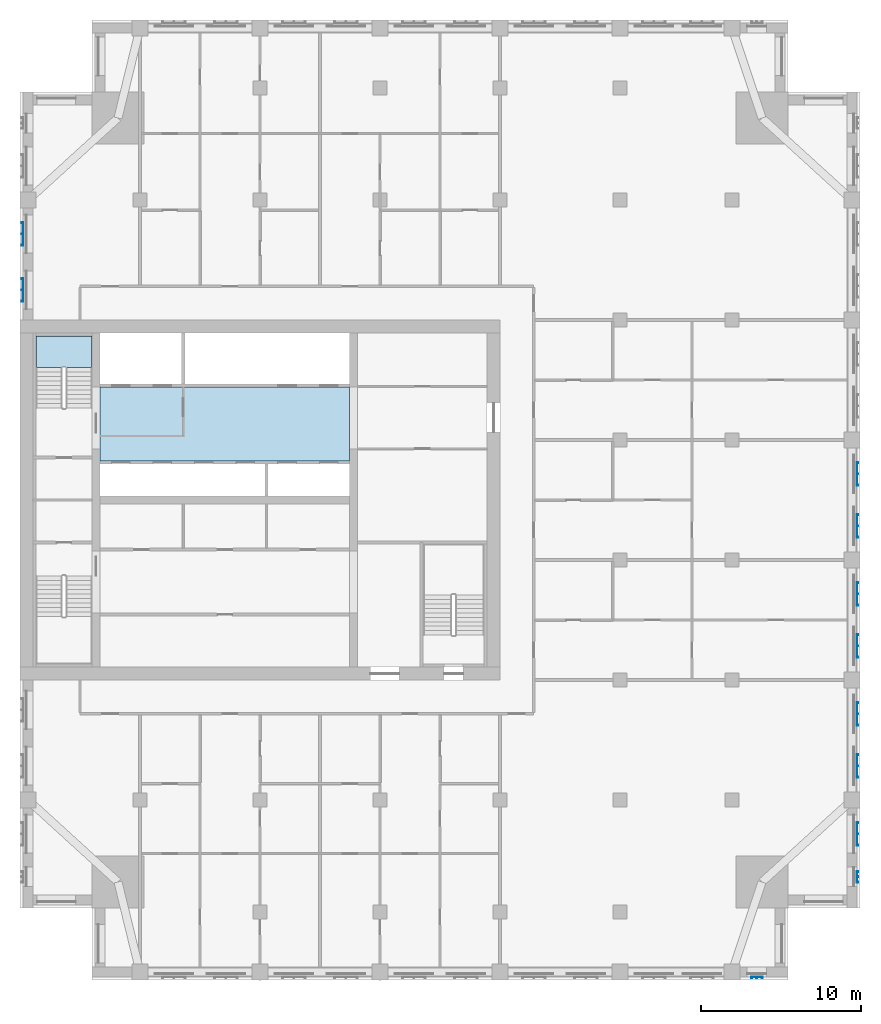
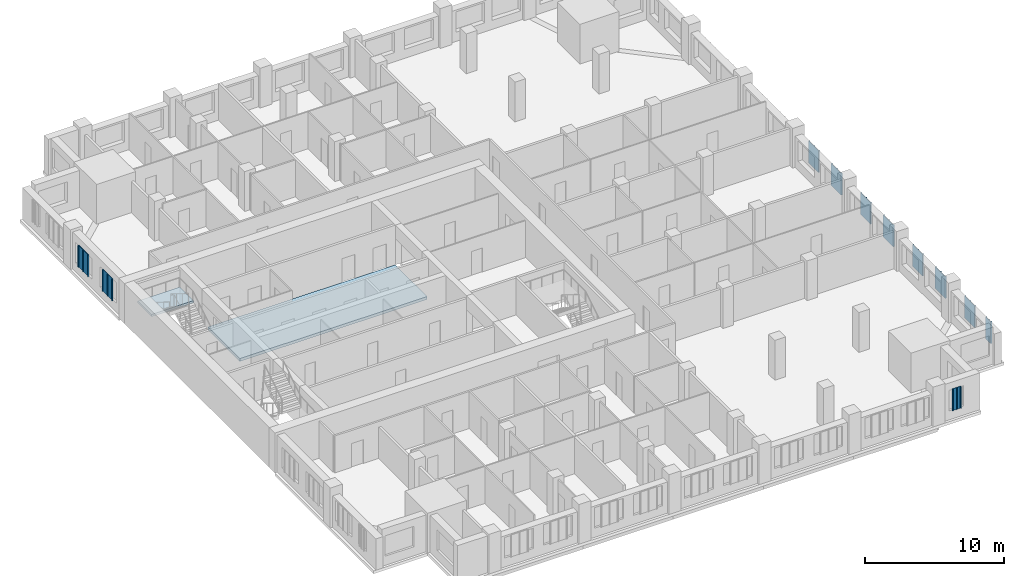
# One storey, part 4 of 14: 11 plates, 2 slabs, 1 element without a shape of its own.
"""IFC4 building model written with IfcOpenShell, lengths in metres."""

from ifc_helpers import new_model, si_unit, direction, frame, origin, place, context, subcontext, project, spatial, polyline, outline, extrude, material, layer, layer_set, type_object, element, aggregate, save


model = new_model("IFC4")

# Units and contexts
model_context = context("Model", 3, precision=1e-05, world=origin(), true_north=direction((0.0, 1.0)))
body_context = subcontext(model_context, "Body", "Model", "MODEL_VIEW")
ifc_project = project(units=[si_unit("LENGTHUNIT", "METRE"), si_unit("AREAUNIT", "SQUARE_METRE"), si_unit("VOLUMEUNIT", "CUBIC_METRE"), si_unit("PLANEANGLEUNIT", "RADIAN"), si_unit("MASSUNIT", "GRAM", prefix="KILO")], contexts=[model_context])

# Site, building, storey
site_placement = place(None, origin())
site = spatial("IfcSite", under=ifc_project, at=site_placement, CompositionType="ELEMENT")
building_placement = place(site_placement, origin())
building = spatial("IfcBuilding", under=site, at=building_placement, Name="Tamorin Gate", CompositionType="ELEMENT")
storey_placement = place(building_placement, frame((0.0, 0.0, 182.699951171875)))
storey = spatial("IfcBuildingStorey", under=building, at=storey_placement, Name="L44", CompositionType="ELEMENT", Elevation=182.699951171875)

# Slab
ifc_material_1 = material(Name="Concrete C40/50", Category="concrete")
ifc_layer_1 = layer(ifc_material_1, 0.25)
ifc_layer_set_1 = layer_set([ifc_layer_1], Name="Core floor slab 250 C40/50")
slab_type_1 = type_object("IfcSlabType", Name="Core floor slab 250 C40/50", PredefinedType="FLOOR", material=ifc_layer_set_1)
slab_1_placement = place(storey_placement, frame((0.0, 0.0, -0.25)))
element("IfcSlab", 1, at=slab_1_placement, inside=storey, type_object=slab_type_1, Name="Core floor L44", PredefinedType="FLOOR", context=body_context, shape_type="SweptSolid", body=[
    extrude(outline(polyline([(50.60009765625, 73.699951171875), (35.0, 73.699951171875), (35.0, 78.300048828125), (50.60009765625, 78.300048828125), (50.60009765625, 73.699951171875)])), origin(), (0.0, 0.0, 1.0), 0.25),
])

# Stair, slab
stair_type = type_object("IfcStairType", Name="Exit stair", PredefinedType="HALF_TURN_STAIR", material=ifc_material_1)
stair_placement = place(storey_placement, origin())
stair = element("IfcStair", 2, at=stair_placement, inside=storey, type_object=stair_type, Name="L44 stair ST2", PredefinedType="HALF_TURN_STAIR")
ifc_layer_2 = layer(ifc_material_1, 0.199951171875)
ifc_layer_set_2 = layer_set([ifc_layer_2], Name="Exit stair landing 200")
slab_type_2 = type_object("IfcSlabType", Name="Exit stair landing 200", PredefinedType="LANDING", material=ifc_layer_set_2)
slab_2_placement = place(storey_placement, frame((0.0, 0.0, 1.550048828125)))
slab_2 = element("IfcSlab", 3, at=slab_2_placement, type_object=slab_type_2, Name="ST2 landing 1", PredefinedType="LANDING", context=body_context, shape_type="SweptSolid", body=[
    extrude(outline(polyline([(34.5, 79.52001953125), (34.5, 81.5), (31.0, 81.5), (31.0, 79.52001953125), (34.5, 79.52001953125)])), origin(), (0.0, 0.0, 1.0), 0.199951171875),
])
aggregate(stair, [slab_2])

# Plates
ifc_material_2 = material(Name="Perforated pale aluminium sheet", Category="aluminium")
ifc_layer_3 = layer(ifc_material_2, 0.0400390625)
ifc_layer_set_3 = layer_set([ifc_layer_3], Name="Pale metal solar screen 1440")
plate_type_1 = type_object("IfcPlateType", Name="Pale metal solar screen 1440", PredefinedType="SHEET", material=ifc_layer_set_3)
plate_1_placement = place(storey_placement, frame((0.0, 0.0, 0.737548828125)))
element("IfcPlate", 4, at=plate_1_placement, inside=storey, type_object=plate_type_1, Name="Perforated solar screen", PredefinedType="SHEET", context=body_context, shape_type="SweptSolid", body=[
    extrude(outline(polyline([(82.340087890625, 49.655029296875), (82.300048828125, 49.655029296875), (82.300048828125, 49.715087890625), (82.300048828125, 50.344970703125), (82.300048828125, 50.405029296875), (82.300048828125, 51.034912109375), (82.300048828125, 51.094970703125), (82.300048828125, 51.094970703125), (82.340087890625, 51.094970703125), (82.340087890625, 51.094970703125), (82.39990234375, 51.094970703125), (82.39990234375, 51.034912109375), (82.340087890625, 51.034912109375), (82.340087890625, 50.405029296875), (82.39990234375, 50.405029296875), (82.39990234375, 50.344970703125), (82.340087890625, 50.344970703125), (82.340087890625, 49.715087890625), (82.39990234375, 49.715087890625), (82.39990234375, 49.655029296875), (82.340087890625, 49.655029296875)])), origin(), (0.0, 0.0, 1.0), 1.925048828125),
])
plate_2_placement = place(storey_placement, frame((0.0, 0.0, 0.737548828125)))
element("IfcPlate", 5, at=plate_2_placement, inside=storey, type_object=plate_type_1, Name="Perforated solar screen", PredefinedType="SHEET", context=body_context, shape_type="SweptSolid", body=[
    extrude(outline(polyline([(82.340087890625, 53.905029296875), (82.300048828125, 53.905029296875), (82.300048828125, 53.965087890625), (82.300048828125, 54.594970703125), (82.300048828125, 54.655029296875), (82.300048828125, 55.284912109375), (82.300048828125, 55.344970703125), (82.340087890625, 55.344970703125), (82.39990234375, 55.344970703125), (82.39990234375, 55.284912109375), (82.340087890625, 55.284912109375), (82.340087890625, 54.655029296875), (82.39990234375, 54.655029296875), (82.39990234375, 54.594970703125), (82.340087890625, 54.594970703125), (82.340087890625, 53.965087890625), (82.39990234375, 53.965087890625), (82.39990234375, 53.905029296875), (82.340087890625, 53.905029296875)])), origin(), (0.0, 0.0, 1.0), 1.925048828125),
])
plate_3_placement = place(storey_placement, frame((0.0, 0.0, 0.737548828125)))
element("IfcPlate", 6, at=plate_3_placement, inside=storey, type_object=plate_type_1, Name="Perforated solar screen", PredefinedType="SHEET", context=body_context, shape_type="SweptSolid", body=[
    extrude(outline(polyline([(82.340087890625, 57.155029296875), (82.300048828125, 57.155029296875), (82.300048828125, 57.215087890625), (82.300048828125, 57.844970703125), (82.300048828125, 57.905029296875), (82.300048828125, 58.534912109375), (82.300048828125, 58.594970703125), (82.340087890625, 58.594970703125), (82.39990234375, 58.594970703125), (82.39990234375, 58.534912109375), (82.340087890625, 58.534912109375), (82.340087890625, 57.905029296875), (82.39990234375, 57.905029296875), (82.39990234375, 57.844970703125), (82.340087890625, 57.844970703125), (82.340087890625, 57.215087890625), (82.39990234375, 57.215087890625), (82.39990234375, 57.155029296875), (82.340087890625, 57.155029296875)])), origin(), (0.0, 0.0, 1.0), 1.925048828125),
])
plate_4_placement = place(storey_placement, frame((0.0, 0.0, 0.737548828125)))
element("IfcPlate", 7, at=plate_4_placement, inside=storey, type_object=plate_type_1, Name="Perforated solar screen", PredefinedType="SHEET", context=body_context, shape_type="SweptSolid", body=[
    extrude(outline(polyline([(82.340087890625, 61.405029296875), (82.300048828125, 61.405029296875), (82.300048828125, 61.465087890625), (82.300048828125, 62.094970703125), (82.300048828125, 62.155029296875), (82.300048828125, 62.784912109375), (82.300048828125, 62.844970703125), (82.340087890625, 62.844970703125), (82.39990234375, 62.844970703125), (82.39990234375, 62.784912109375), (82.340087890625, 62.784912109375), (82.340087890625, 62.155029296875), (82.39990234375, 62.155029296875), (82.39990234375, 62.094970703125), (82.340087890625, 62.094970703125), (82.340087890625, 61.465087890625), (82.39990234375, 61.465087890625), (82.39990234375, 61.405029296875), (82.340087890625, 61.405029296875)])), origin(), (0.0, 0.0, 1.0), 1.925048828125),
])
plate_5_placement = place(storey_placement, frame((0.0, 0.0, 0.737548828125)))
element("IfcPlate", 8, at=plate_5_placement, inside=storey, type_object=plate_type_1, Name="Perforated solar screen", PredefinedType="SHEET", context=body_context, shape_type="SweptSolid", body=[
    extrude(outline(polyline([(82.340087890625, 64.655029296875), (82.300048828125, 64.655029296875), (82.300048828125, 64.715087890625), (82.300048828125, 65.344970703125), (82.300048828125, 65.405029296875), (82.300048828125, 66.034912109375), (82.300048828125, 66.094970703125), (82.340087890625, 66.094970703125), (82.39990234375, 66.094970703125), (82.39990234375, 66.034912109375), (82.340087890625, 66.034912109375), (82.340087890625, 65.405029296875), (82.39990234375, 65.405029296875), (82.39990234375, 65.344970703125), (82.340087890625, 65.344970703125), (82.340087890625, 64.715087890625), (82.39990234375, 64.715087890625), (82.39990234375, 64.655029296875), (82.340087890625, 64.655029296875)])), origin(), (0.0, 0.0, 1.0), 1.925048828125),
])
plate_6_placement = place(storey_placement, frame((0.0, 0.0, 0.737548828125)))
element("IfcPlate", 9, at=plate_6_placement, inside=storey, type_object=plate_type_1, Name="Perforated solar screen", PredefinedType="SHEET", context=body_context, shape_type="SweptSolid", body=[
    extrude(outline(polyline([(82.340087890625, 68.905029296875), (82.300048828125, 68.905029296875), (82.300048828125, 68.965087890625), (82.300048828125, 69.594970703125), (82.300048828125, 69.655029296875), (82.300048828125, 70.284912109375), (82.300048828125, 70.344970703125), (82.340087890625, 70.344970703125), (82.39990234375, 70.344970703125), (82.39990234375, 70.284912109375), (82.340087890625, 70.284912109375), (82.340087890625, 69.655029296875), (82.39990234375, 69.655029296875), (82.39990234375, 69.594970703125), (82.340087890625, 69.594970703125), (82.340087890625, 68.965087890625), (82.39990234375, 68.965087890625), (82.39990234375, 68.905029296875), (82.340087890625, 68.905029296875)])), origin(), (0.0, 0.0, 1.0), 1.925048828125),
])
plate_7_placement = place(storey_placement, frame((0.0, 0.0, 0.737548828125)))
element("IfcPlate", 10, at=plate_7_placement, inside=storey, type_object=plate_type_1, Name="Perforated solar screen", PredefinedType="SHEET", context=body_context, shape_type="SweptSolid", body=[
    extrude(outline(polyline([(82.340087890625, 72.155029296875), (82.300048828125, 72.155029296875), (82.300048828125, 72.215087890625), (82.300048828125, 72.844970703125), (82.300048828125, 72.905029296875), (82.300048828125, 73.534912109375), (82.300048828125, 73.594970703125), (82.340087890625, 73.594970703125), (82.39990234375, 73.594970703125), (82.39990234375, 73.534912109375), (82.340087890625, 73.534912109375), (82.340087890625, 72.905029296875), (82.39990234375, 72.905029296875), (82.39990234375, 72.844970703125), (82.340087890625, 72.844970703125), (82.340087890625, 72.215087890625), (82.39990234375, 72.215087890625), (82.39990234375, 72.155029296875), (82.340087890625, 72.155029296875)])), origin(), (0.0, 0.0, 1.0), 1.925048828125),
])
plate_8_placement = place(storey_placement, frame((0.0, 0.0, 0.737548828125)))
element("IfcPlate", 11, at=plate_8_placement, inside=storey, type_object=plate_type_1, Name="Perforated solar screen", PredefinedType="SHEET", context=body_context, shape_type="SweptSolid", body=[
    extrude(outline(polyline([(30.159912109375, 85.094970703125), (30.199951171875, 85.094970703125), (30.199951171875, 85.034912109375), (30.199951171875, 84.405029296875), (30.199951171875, 84.344970703125), (30.199951171875, 83.715087890625), (30.199951171875, 83.655029296875), (30.159912109375, 83.655029296875), (30.10009765625, 83.655029296875), (30.10009765625, 83.715087890625), (30.159912109375, 83.715087890625), (30.159912109375, 84.344970703125), (30.10009765625, 84.344970703125), (30.10009765625, 84.405029296875), (30.159912109375, 84.405029296875), (30.159912109375, 85.034912109375), (30.10009765625, 85.034912109375), (30.10009765625, 85.094970703125), (30.159912109375, 85.094970703125)])), origin(), (0.0, 0.0, 1.0), 1.925048828125),
])
plate_9_placement = place(storey_placement, frame((0.0, 0.0, 0.737548828125)))
element("IfcPlate", 12, at=plate_9_placement, inside=storey, type_object=plate_type_1, Name="Perforated solar screen", PredefinedType="SHEET", context=body_context, shape_type="SweptSolid", body=[
    extrude(outline(polyline([(30.159912109375, 88.594970703125), (30.199951171875, 88.594970703125), (30.199951171875, 88.534912109375), (30.199951171875, 87.905029296875), (30.199951171875, 87.844970703125), (30.199951171875, 87.215087890625), (30.199951171875, 87.155029296875), (30.159912109375, 87.155029296875), (30.10009765625, 87.155029296875), (30.10009765625, 87.215087890625), (30.159912109375, 87.215087890625), (30.159912109375, 87.844970703125), (30.10009765625, 87.844970703125), (30.10009765625, 87.905029296875), (30.159912109375, 87.905029296875), (30.159912109375, 88.534912109375), (30.10009765625, 88.534912109375), (30.10009765625, 88.594970703125), (30.159912109375, 88.594970703125)])), origin(), (0.0, 0.0, 1.0), 1.925048828125),
])
ifc_layer_4 = layer(ifc_material_2, 0.0400390625)
ifc_layer_set_4 = layer_set([ifc_layer_4], Name="Pale metal solar screen 720")
plate_type_2 = type_object("IfcPlateType", Name="Pale metal solar screen 720", PredefinedType="SHEET", material=ifc_layer_set_4)
plate_10_placement = place(storey_placement, frame((0.0, 0.0, 0.737548828125)))
element("IfcPlate", 13, at=plate_10_placement, inside=storey, type_object=plate_type_2, Name="Perforated solar screen", PredefinedType="SHEET", context=body_context, shape_type="SweptSolid", body=[
    extrude(outline(polyline([(75.68994140625, 41.409912109375), (75.68994140625, 41.449951171875), (75.75, 41.449951171875), (76.02001953125, 41.449951171875), (76.080078125, 41.449951171875), (76.35009765625, 41.449951171875), (76.409912109375, 41.449951171875), (76.409912109375, 41.409912109375), (76.409912109375, 41.35009765625), (76.35009765625, 41.35009765625), (76.35009765625, 41.409912109375), (76.080078125, 41.409912109375), (76.080078125, 41.35009765625), (76.02001953125, 41.35009765625), (76.02001953125, 41.409912109375), (75.75, 41.409912109375), (75.75, 41.35009765625), (75.68994140625, 41.35009765625), (75.68994140625, 41.409912109375)])), origin(), (0.0, 0.0, 1.0), 1.925048828125),
])
plate_11_placement = place(storey_placement, frame((0.0, 0.0, 0.737548828125)))
element("IfcPlate", 14, at=plate_11_placement, inside=storey, type_object=plate_type_2, Name="Perforated solar screen", PredefinedType="SHEET", context=body_context, shape_type="SweptSolid", body=[
    extrude(outline(polyline([(82.340087890625, 47.340087890625), (82.300048828125, 47.340087890625), (82.300048828125, 47.39990234375), (82.300048828125, 47.669921875), (82.300048828125, 47.72998046875), (82.300048828125, 48.0), (82.300048828125, 48.06005859375), (82.340087890625, 48.06005859375), (82.39990234375, 48.06005859375), (82.39990234375, 48.0), (82.340087890625, 48.0), (82.340087890625, 47.72998046875), (82.39990234375, 47.72998046875), (82.39990234375, 47.669921875), (82.340087890625, 47.669921875), (82.340087890625, 47.39990234375), (82.39990234375, 47.39990234375), (82.39990234375, 47.340087890625), (82.340087890625, 47.340087890625)])), origin(), (0.0, 0.0, 1.0), 1.925048828125),
])

save(model, "model.ifc")
